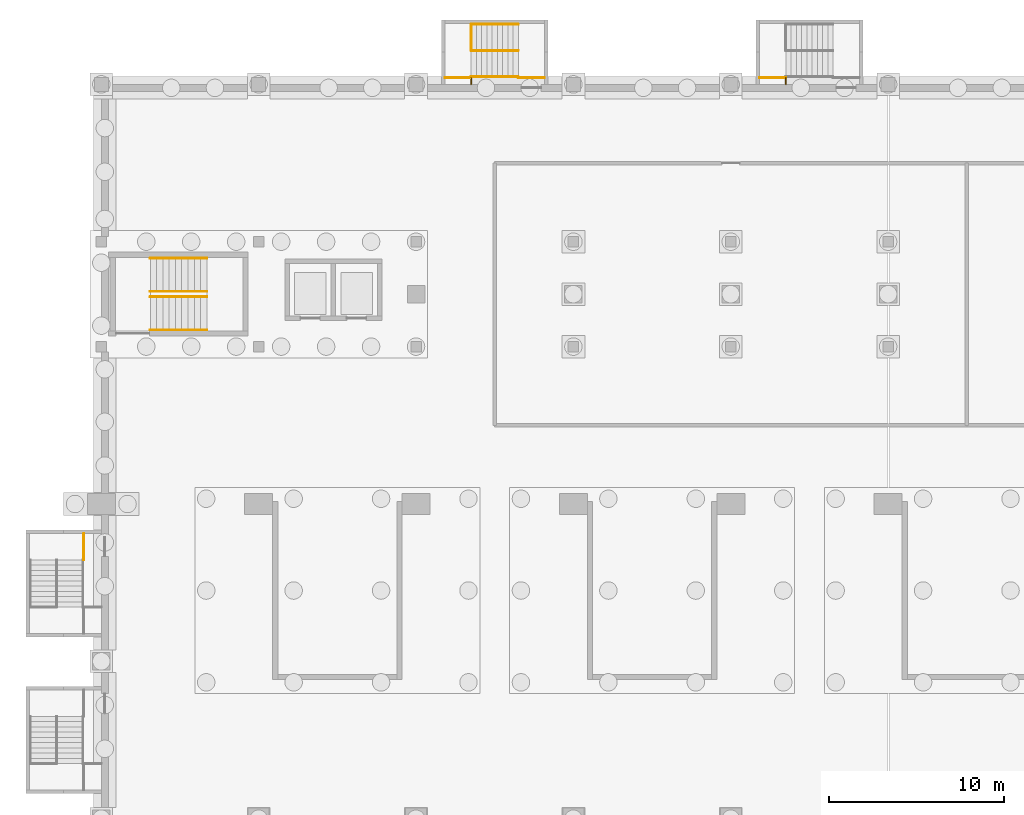
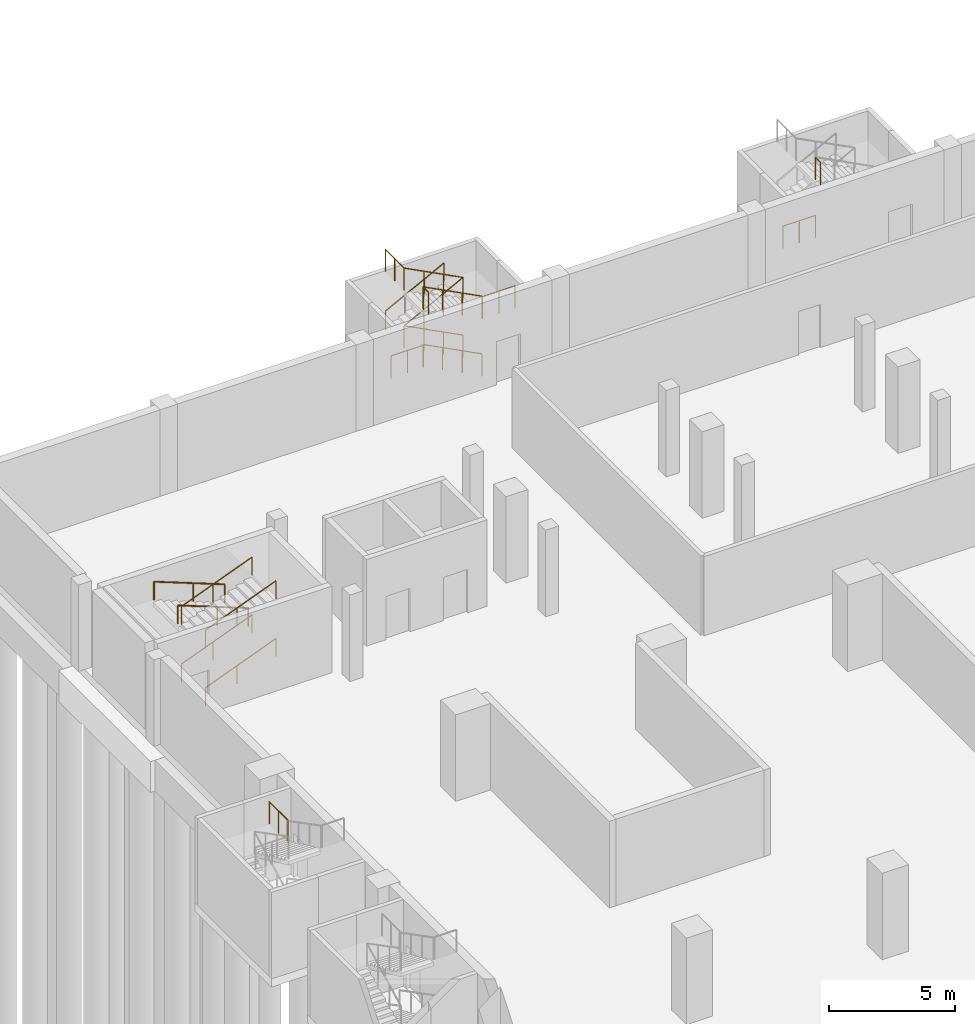
# One storey, part 24 of 29: 19 railings.
"""IFC4 building model written with IfcOpenShell, lengths in metres."""

import ifcopenshell
import ifcopenshell.guid

model = None  # the IFC model being written
_history = None  # IfcOwnerHistory: only IFC2X3 demands one
_inside = {}  # id of a spatial element -> (the spatial element, [elements in it])
_under = {}  # id of a project, library or spatial element -> (it, [spatial elements below it])
_declared = {}  # id of a project -> (the project, [libraries it declares])
_typed = {}  # id of a type object -> (the type object, [elements of that type])
_made_of = {}  # id of a material, layer set ... -> (it, [elements and type objects made of it])


def new_model(schema):
    """Start an empty IFC model of exactly this schema.

    Asked for "IFC4X3", IfcOpenShell would pick the latest addendum, in which some entities
    have other attributes; the version numbers below select the first issue.
    IFC2X3 requires an IfcOwnerHistory on every rooted entity: one is made here for all.
    """
    global model, _history
    if schema == "IFC4X3":
        model = ifcopenshell.file(schema_version=(4, 3, 0, 0))
    else:
        model = ifcopenshell.file(schema=schema)
    _inside.clear()
    _under.clear()
    _declared.clear()
    _typed.clear()
    _made_of.clear()
    _history = None
    if model.schema == "IFC2X3":
        org = make("IfcOrganization", Name="unknown")
        user = make(
            "IfcPersonAndOrganization",
            ThePerson=make("IfcPerson", FamilyName="unknown"),
            TheOrganization=org,
        )
        app = make(
            "IfcApplication",
            ApplicationDeveloper=org,
            Version="unknown",
            ApplicationFullName="unknown",
            ApplicationIdentifier="unknown",
        )
        _history = make(
            "IfcOwnerHistory",
            OwningUser=user,
            OwningApplication=app,
            ChangeAction="ADDED",
            CreationDate=0,
        )
    return model


def make(cls, **values):
    """One entity of the class cls with the attributes given. An attribute that is None is left unset."""
    return model.create_entity(
        cls, **{name: value for name, value in values.items() if value is not None}
    )


def rooted(cls, **values):
    """An entity with a GlobalId (a new one), such as an element, a storey or a relation."""
    return make(cls, GlobalId=ifcopenshell.guid.new(), OwnerHistory=_history, **values)


def si_unit(unit_type, name, prefix=None):
    """IfcSIUnit, for example si_unit("LENGTHUNIT", "METRE", prefix="MILLI")."""
    return make("IfcSIUnit", UnitType=unit_type, Prefix=prefix, Name=name)


def assignment(units):
    """IfcUnitAssignment: the units of a project."""
    return None if units is None else make("IfcUnitAssignment", Units=units)


def point(xyz):
    """IfcCartesianPoint."""
    return None if xyz is None else make("IfcCartesianPoint", Coordinates=xyz)


def direction(xyz):
    """IfcDirection."""
    return None if xyz is None else make("IfcDirection", DirectionRatios=xyz)


def frame(location, z_axis=None, x_axis=None):
    """IfcAxis2Placement3D, a coordinate frame: its origin and axes. An axis left out is left unset."""
    return make(
        "IfcAxis2Placement3D",
        Location=point(location),
        Axis=direction(z_axis),
        RefDirection=direction(x_axis),
    )


def frame_2d(location, x_axis=None):
    """IfcAxis2Placement2D, a coordinate frame in the plane: its origin and x axis."""
    return make(
        "IfcAxis2Placement2D", Location=point(location), RefDirection=direction(x_axis)
    )


def origin():
    """The frame at (0, 0, 0) with its axes left unset."""
    return frame((0.0, 0.0, 0.0))


def origin_2d():
    """The frame at (0, 0) in the plane with its x axis left unset."""
    return frame_2d((0.0, 0.0))


def place(relative_to, where):
    """IfcLocalPlacement: puts the frame where relative to a parent placement (None: the world)."""
    return make(
        "IfcLocalPlacement", PlacementRelTo=relative_to, RelativePlacement=where
    )


def context(
    kind, dimensions, precision=None, world=None, true_north=None, identifier=None
):
    """IfcGeometricRepresentationContext, for example the 3D "Model" context."""
    return make(
        "IfcGeometricRepresentationContext",
        ContextIdentifier=identifier,
        ContextType=kind,
        CoordinateSpaceDimension=dimensions,
        Precision=precision,
        WorldCoordinateSystem=world,
        TrueNorth=true_north,
    )


def subcontext(parent, identifier, kind, view, scale=None):
    """IfcGeometricRepresentationSubContext, for example "Body" below "Model"."""
    return make(
        "IfcGeometricRepresentationSubContext",
        ContextIdentifier=identifier,
        ContextType=kind,
        ParentContext=parent,
        TargetScale=scale,
        TargetView=view,
    )


def project(units=None, contexts=None):
    """IfcProject with its units and contexts."""
    return rooted(
        "IfcProject",
        Name="project",
        RepresentationContexts=contexts,
        UnitsInContext=assignment(units),
    )


def spatial(cls, under=None, at=None, **own):
    """A site, building, storey or space (cls), placed at a placement, below another one or the project."""
    s = rooted(cls, ObjectPlacement=at, **own)
    if under is not None:
        _under.setdefault(under.id(), (under, []))[1].append(s)
    return s


def profile(cls, at=None, kind="AREA", **sizes):
    """A parametric profile (cls). Its sizes go by their IFC names, for example OverallWidth=200.0."""
    return make(cls, ProfileType=kind, Position=at, **sizes)


def circle(**sizes):
    """IfcCircleProfileDef."""
    return profile("IfcCircleProfileDef", **sizes)


def extrude(swept, where, along, depth):
    """IfcExtrudedAreaSolid: the profile swept, set in the frame where, extruded along a direction by depth."""
    return make(
        "IfcExtrudedAreaSolid",
        SweptArea=swept,
        Position=where,
        ExtrudedDirection=direction(along),
        Depth=depth,
    )


def shape(context_of_items, identifier, shape_type, items):
    """IfcShapeRepresentation: the items that make up one representation, for example the "Body"."""
    return make(
        "IfcShapeRepresentation",
        ContextOfItems=context_of_items,
        RepresentationIdentifier=identifier,
        RepresentationType=shape_type,
        Items=items,
    )


def material(Name=None, Category=None):
    """IfcMaterial."""
    return make("IfcMaterial", Name=Name, Category=Category)


def made_of(thing, what):
    """Note that an element or type object is made of a material, layer set ...; save() writes the relation."""
    if what is not None:
        _made_of.setdefault(what.id(), (what, []))[1].append(thing)
    return thing


def type_object(cls, material=None, **own):
    """A type object (cls), such as IfcWallType, which elements share."""
    return made_of(rooted(cls, **own), material)


def element(
    cls,
    number,
    at=None,
    inside=None,
    cuts=None,
    type_object=None,
    material=None,
    context=None,
    identifier="Body",
    shape_type=None,
    held_by="IfcProductDefinitionShape",
    body=None,
    shapes=None,
    **own,
):
    """One element of the class cls, such as IfcWall. Its Tag is "e" and its number.

    at: its placement. inside: the storey or other place that contains it. cuts: it is an
    opening in that element (IfcRelVoidsElement). A single representation is given by context,
    identifier, shape_type and body (its items); several are given by shapes. held_by: the class
    of the entity that holds the representations. save() writes the other relations.
    """
    e = rooted(cls, Tag="e%d" % number, ObjectPlacement=at, **own)
    if body is not None:
        shapes = [shape(context, identifier, shape_type, body)]
    if shapes is not None:
        e.Representation = make(held_by, Representations=shapes)
    if inside is not None:
        _inside.setdefault(inside.id(), (inside, []))[1].append(e)
    if cuts is not None:
        rooted(
            "IfcRelVoidsElement", RelatingBuildingElement=cuts, RelatedOpeningElement=e
        )
    if type_object is not None:
        _typed.setdefault(type_object.id(), (type_object, []))[1].append(e)
    return made_of(e, material)


def aggregate(whole, parts):
    """IfcRelAggregates: a whole, such as a stair, and the parts it consists of."""
    return rooted("IfcRelAggregates", RelatingObject=whole, RelatedObjects=parts)


def save(model, path):
    """Write the relations noted so far, then the file.

    IfcRelAggregates (storeys below a building ...), IfcRelContainedInSpatialStructure (elements
    in a storey), IfcRelDefinesByType, IfcRelAssociatesMaterial and IfcRelDeclares: one each for
    every whole, place, type object, material and project.
    """
    for whole, parts in _under.values():
        aggregate(whole, parts)
    for where, things in _inside.values():
        rooted(
            "IfcRelContainedInSpatialStructure",
            RelatedElements=things,
            RelatingStructure=where,
        )
    for kind, things in _typed.values():
        rooted("IfcRelDefinesByType", RelatedObjects=things, RelatingType=kind)
    for what, things in _made_of.values():
        rooted("IfcRelAssociatesMaterial", RelatedObjects=things, RelatingMaterial=what)
    for by, libraries in _declared.values():
        rooted("IfcRelDeclares", RelatingContext=by, RelatedDefinitions=libraries)
    model.write(path)


model = new_model("IFC4")

# Units and contexts
model_context = context("Model", 3, precision=1e-05, world=origin(), true_north=direction((0.0, 1.0)))
body_context = subcontext(model_context, "Body", "Model", "MODEL_VIEW")
ifc_project = project(units=[si_unit("LENGTHUNIT", "METRE"), si_unit("AREAUNIT", "SQUARE_METRE"), si_unit("VOLUMEUNIT", "CUBIC_METRE"), si_unit("PLANEANGLEUNIT", "RADIAN"), si_unit("MASSUNIT", "GRAM", prefix="KILO")], contexts=[model_context])

# Site, building, storey
site_placement = place(None, origin())
site = spatial("IfcSite", under=ifc_project, at=site_placement, CompositionType="ELEMENT")
building_placement = place(site_placement, origin())
building = spatial("IfcBuilding", under=site, at=building_placement, Name="Aravalli Gate Trade Fair Centre", CompositionType="ELEMENT")
storey_placement = place(building_placement, frame((0.0, 0.0, -8.39990234375)))
storey = spatial("IfcBuildingStorey", under=building, at=storey_placement, Name="B2", CompositionType="ELEMENT", Elevation=-8.39990234375)

# Railings
ifc_material = material(Name="Steel E350", Category="steel")
railing_type_1 = type_object("IfcRailingType", Name="Basement stair guard 1100", PredefinedType="GUARDRAIL", material=ifc_material)
railing_1_placement = place(storey_placement, frame((5.0, 107.300048828125, 2.7998046875)))
element("IfcRailing", 1, at=railing_1_placement, inside=storey, type_object=railing_type_1, Name="Basement stair W2 landing edge guard 2 B2", PredefinedType="GUARDRAIL", context=body_context, shape_type="SweptSolid", body=[
    extrude(circle(Radius=0.02392578125, at=origin_2d()), frame((0.0, 0.0, 1.076171875), z_axis=(0.0, -1.0, 0.0), x_axis=(1.0, 0.0, 0.0)), (0.0, 0.0, 1.0), 1.5),
    extrude(circle(Radius=0.02099609375, at=origin_2d()), origin(), (0.0, 0.0, 1.0), 1.052001953125),
    extrude(circle(Radius=0.02099609375, at=origin_2d()), frame((0.0, -0.75, 0.0)), (0.0, 0.0, 1.0), 1.052001953125),
    extrude(circle(Radius=0.02099609375, at=origin_2d()), frame((0.0, -1.5, 0.0)), (0.0, 0.0, 1.0), 1.052001953125),
])
railing_2_placement = place(storey_placement, frame((29.85009765625, 134.929931640625, 0.0)))
element("IfcRailing", 2, at=railing_2_placement, inside=storey, type_object=railing_type_1, Name="Basement stair N1 guard A B2", PredefinedType="GUARDRAIL", context=body_context, shape_type="SweptSolid", body=[
    extrude(circle(Radius=0.02392578125, at=origin_2d()), frame((0.0, 0.0, 1.076171875), z_axis=(-0.887781257544, 0.0, 0.460265617609), x_axis=(0.0, -1.0, 0.0)), (0.0, 0.0, 1.0), 3.04150390625),
    extrude(circle(Radius=0.02099609375, at=origin_2d()), origin(), (0.0, 0.0, 1.0), 1.052001953125),
    extrude(circle(Radius=0.02099609375, at=origin_2d()), frame((-0.900146484375, 0.0, 0.466552734375)), (0.0, 0.0, 1.0), 1.052001953125),
    extrude(circle(Radius=0.02099609375, at=origin_2d()), frame((-1.800048828125, 0.0, 0.933349609375)), (0.0, 0.0, 1.0), 1.052001953125),
    extrude(circle(Radius=0.02099609375, at=origin_2d()), frame((-2.7001953125, 0.0, 1.39990234375)), (0.0, 0.0, 1.0), 1.052001953125),
])
railing_3_placement = place(storey_placement, frame((27.14990234375, 134.929931640625, 1.39990234375)))
element("IfcRailing", 3, at=railing_3_placement, inside=storey, type_object=railing_type_1, Name="Basement stair N1 guard B B2", PredefinedType="GUARDRAIL", context=body_context, shape_type="SweptSolid", body=[
    extrude(circle(Radius=0.02392578125, at=origin_2d()), frame((0.0, 0.0, 1.076171875), z_axis=(0.887781257544, 0.0, 0.460265617609), x_axis=(0.0, 1.0, 0.0)), (0.0, 0.0, 1.0), 3.04150390625),
    extrude(circle(Radius=0.02099609375, at=origin_2d()), origin(), (0.0, 0.0, 1.0), 1.052001953125),
    extrude(circle(Radius=0.02099609375, at=origin_2d()), frame((0.900146484375, 0.0, 0.466552734375)), (0.0, 0.0, 1.0), 1.052001953125),
    extrude(circle(Radius=0.02099609375, at=origin_2d()), frame((1.800048828125, 0.0, 0.933349609375)), (0.0, 0.0, 1.0), 1.052001953125),
    extrude(circle(Radius=0.02099609375, at=origin_2d()), frame((2.7001953125, 0.0, 1.39990234375)), (0.0, 0.0, 1.0), 1.052001953125),
])
railing_4_placement = place(storey_placement, frame((29.85009765625, 134.929931640625, 2.7998046875)))
element("IfcRailing", 4, at=railing_4_placement, inside=storey, type_object=railing_type_1, Name="Basement stair N1 guard C B2", PredefinedType="GUARDRAIL", context=body_context, shape_type="SweptSolid", body=[
    extrude(circle(Radius=0.02392578125, at=origin_2d()), frame((0.0, 0.0, 1.076171875), z_axis=(-0.887748457143, 0.0, 0.460328878998), x_axis=(0.0, -1.0, 0.0)), (0.0, 0.0, 1.0), 3.04150390625),
    extrude(circle(Radius=0.02099609375, at=origin_2d()), origin(), (0.0, 0.0, 1.0), 1.052001953125),
    extrude(circle(Radius=0.02099609375, at=origin_2d()), frame((-0.900146484375, 0.0, 0.466796875)), (0.0, 0.0, 1.0), 1.052001953125),
    extrude(circle(Radius=0.02099609375, at=origin_2d()), frame((-1.800048828125, 0.0, 0.933349609375)), (0.0, 0.0, 1.0), 1.052001953125),
    extrude(circle(Radius=0.02099609375, at=origin_2d()), frame((-2.7001953125, 0.0, 1.400146484375)), (0.0, 0.0, 1.0), 1.052001953125),
])
railing_5_placement = place(storey_placement, frame((29.85009765625, 133.429931640625, 0.0)))
element("IfcRailing", 5, at=railing_5_placement, inside=storey, type_object=railing_type_1, Name="Basement stair N1 guard A B2", PredefinedType="GUARDRAIL", context=body_context, shape_type="SweptSolid", body=[
    extrude(circle(Radius=0.02392578125, at=origin_2d()), frame((0.0, 0.0, 1.076171875), z_axis=(-0.887781257544, 0.0, 0.460265617609), x_axis=(0.0, -1.0, 0.0)), (0.0, 0.0, 1.0), 3.04150390625),
    extrude(circle(Radius=0.02099609375, at=origin_2d()), origin(), (0.0, 0.0, 1.0), 1.052001953125),
    extrude(circle(Radius=0.02099609375, at=origin_2d()), frame((-0.900146484375, 0.0, 0.466552734375)), (0.0, 0.0, 1.0), 1.052001953125),
    extrude(circle(Radius=0.02099609375, at=origin_2d()), frame((-1.800048828125, 0.0, 0.933349609375)), (0.0, 0.0, 1.0), 1.052001953125),
    extrude(circle(Radius=0.02099609375, at=origin_2d()), frame((-2.7001953125, 0.0, 1.39990234375)), (0.0, 0.0, 1.0), 1.052001953125),
])
railing_6_placement = place(storey_placement, frame((29.85009765625, 133.429931640625, 2.7998046875)))
element("IfcRailing", 6, at=railing_6_placement, inside=storey, type_object=railing_type_1, Name="Basement stair N1 guard C B2", PredefinedType="GUARDRAIL", context=body_context, shape_type="SweptSolid", body=[
    extrude(circle(Radius=0.02392578125, at=origin_2d()), frame((0.0, 0.0, 1.076171875), z_axis=(-0.887748457143, 0.0, 0.460328878998), x_axis=(0.0, -1.0, 0.0)), (0.0, 0.0, 1.0), 3.04150390625),
    extrude(circle(Radius=0.02099609375, at=origin_2d()), origin(), (0.0, 0.0, 1.0), 1.052001953125),
    extrude(circle(Radius=0.02099609375, at=origin_2d()), frame((-0.900146484375, 0.0, 0.466796875)), (0.0, 0.0, 1.0), 1.052001953125),
    extrude(circle(Radius=0.02099609375, at=origin_2d()), frame((-1.800048828125, 0.0, 0.933349609375)), (0.0, 0.0, 1.0), 1.052001953125),
    extrude(circle(Radius=0.02099609375, at=origin_2d()), frame((-2.7001953125, 0.0, 1.400146484375)), (0.0, 0.0, 1.0), 1.052001953125),
])
for number, where, name in (
    (7, (27.14990234375, 133.3798828125, 1.39990234375), "Basement stair N1 landing edge guard 1 B2"),
    (8, (31.35009765625, 133.3798828125, 2.7998046875), "Basement stair N1 landing edge guard 2 B2"),
):
    element("IfcRailing", number, at=place(storey_placement, frame(where)), inside=storey, type_object=railing_type_1, Name=name, PredefinedType="GUARDRAIL", context=body_context, shape_type="SweptSolid", body=[
        extrude(circle(Radius=0.02392578125, at=origin_2d()), frame((0.0, 0.0, 1.076171875), z_axis=(-1.0, 0.0, 0.0), x_axis=(0.0, -1.0, 0.0)), (0.0, 0.0, 1.0), 1.5),
        extrude(circle(Radius=0.02099609375, at=origin_2d()), origin(), (0.0, 0.0, 1.0), 1.052001953125),
        extrude(circle(Radius=0.02099609375, at=origin_2d()), frame((-0.75, 0.0, 0.0)), (0.0, 0.0, 1.0), 1.052001953125),
        extrude(circle(Radius=0.02099609375, at=origin_2d()), frame((-1.5, 0.0, 0.0)), (0.0, 0.0, 1.0), 1.052001953125),
    ])
railing_7_placement = place(storey_placement, frame((27.14990234375, 133.0, 4.199951171875)))
element("IfcRailing", 9, at=railing_7_placement, inside=storey, type_object=railing_type_1, Name="Basement stair N1 strip guard B2", PredefinedType="GUARDRAIL", context=body_context, shape_type="SweptSolid", body=[
    extrude(circle(Radius=0.02392578125, at=origin_2d()), frame((0.0, 0.0, 1.076171875), z_axis=(0.0, 1.0, 0.0), x_axis=(-1.0, 0.0, 0.0)), (0.0, 0.0, 1.0), 0.3798828125),
    extrude(circle(Radius=0.02099609375, at=origin_2d()), origin(), (0.0, 0.0, 1.0), 1.052001953125),
    extrude(circle(Radius=0.02099609375, at=origin_2d()), frame((0.0, 0.3798828125, 0.0)), (0.0, 0.0, 1.0), 1.052001953125),
])
railing_8_placement = place(storey_placement, frame((27.14990234375, 134.929931640625, 4.199951171875)))
element("IfcRailing", 10, at=railing_8_placement, inside=storey, type_object=railing_type_1, Name="Basement stair N1 well guard B2", PredefinedType="GUARDRAIL", context=body_context, shape_type="SweptSolid", body=[
    extrude(circle(Radius=0.02392578125, at=origin_2d()), frame((0.0, 0.0, 1.076171875), z_axis=(0.0, 1.0, 0.0), x_axis=(-1.0, 0.0, 0.0)), (0.0, 0.0, 1.0), 1.5),
    extrude(circle(Radius=0.02099609375, at=origin_2d()), origin(), (0.0, 0.0, 1.0), 1.052001953125),
    extrude(circle(Radius=0.02099609375, at=origin_2d()), frame((0.0, 0.75, 0.0)), (0.0, 0.0, 1.0), 1.052001953125),
    extrude(circle(Radius=0.02099609375, at=origin_2d()), frame((0.0, 1.5, 0.0)), (0.0, 0.0, 1.0), 1.052001953125),
])
railing_9_placement = place(storey_placement, frame((45.14990234375, 133.3798828125, 1.39990234375)))
element("IfcRailing", 11, at=railing_9_placement, inside=storey, type_object=railing_type_1, Name="Basement stair N2 landing edge guard 1 B2", PredefinedType="GUARDRAIL", context=body_context, shape_type="SweptSolid", body=[
    extrude(circle(Radius=0.02392578125, at=origin_2d()), frame((0.0, 0.0, 1.076171875), z_axis=(-1.0, 0.0, 0.0), x_axis=(0.0, -1.0, 0.0)), (0.0, 0.0, 1.0), 1.5),
    extrude(circle(Radius=0.02099609375, at=origin_2d()), origin(), (0.0, 0.0, 1.0), 1.052001953125),
    extrude(circle(Radius=0.02099609375, at=origin_2d()), frame((-0.75, 0.0, 0.0)), (0.0, 0.0, 1.0), 1.052001953125),
    extrude(circle(Radius=0.02099609375, at=origin_2d()), frame((-1.5, 0.0, 0.0)), (0.0, 0.0, 1.0), 1.052001953125),
])
railing_10_placement = place(storey_placement, frame((45.14990234375, 133.0, 4.199951171875)))
element("IfcRailing", 12, at=railing_10_placement, inside=storey, type_object=railing_type_1, Name="Basement stair N2 strip guard B2", PredefinedType="GUARDRAIL", context=body_context, shape_type="SweptSolid", body=[
    extrude(circle(Radius=0.02392578125, at=origin_2d()), frame((0.0, 0.0, 1.076171875), z_axis=(0.0, 1.0, 0.0), x_axis=(-1.0, 0.0, 0.0)), (0.0, 0.0, 1.0), 0.3798828125),
    extrude(circle(Radius=0.02099609375, at=origin_2d()), origin(), (0.0, 0.0, 1.0), 1.052001953125),
    extrude(circle(Radius=0.02099609375, at=origin_2d()), frame((0.0, 0.3798828125, 0.0)), (0.0, 0.0, 1.0), 1.052001953125),
])
railing_type_2 = type_object("IfcRailingType", Name="Basement stair handrail 900", PredefinedType="HANDRAIL", material=ifc_material)
railing_11_placement = place(storey_placement, frame((27.14990234375, 136.429931640625, 1.39990234375)))
element("IfcRailing", 13, at=railing_11_placement, inside=storey, type_object=railing_type_2, Name="Basement stair N1 handrail B B2", PredefinedType="HANDRAIL", context=body_context, shape_type="SweptSolid", body=[
    extrude(circle(Radius=0.02392578125, at=origin_2d()), frame((0.0, 0.0, 0.8759765625), z_axis=(0.887781257544, 0.0, 0.460265617609), x_axis=(0.0, 1.0, 0.0)), (0.0, 0.0, 1.0), 3.04150390625),
    extrude(circle(Radius=0.02099609375, at=origin_2d()), origin(), (0.0, 0.0, 1.0), 0.851806640625),
    extrude(circle(Radius=0.02099609375, at=origin_2d()), frame((0.900146484375, 0.0, 0.466552734375)), (0.0, 0.0, 1.0), 0.851806640625),
    extrude(circle(Radius=0.02099609375, at=origin_2d()), frame((1.800048828125, 0.0, 0.933349609375)), (0.0, 0.0, 1.0), 0.851806640625),
    extrude(circle(Radius=0.02099609375, at=origin_2d()), frame((2.7001953125, 0.0, 1.39990234375)), (0.0, 0.0, 1.0), 0.851806640625),
])
railing_type_3 = type_object("IfcRailingType", Name="Concourse stair handrail 900", PredefinedType="HANDRAIL", material=ifc_material)
for number, where, name in (
    (14, (8.800048828125, 118.949951171875, 0.139892578125), "Handrail WS B2 flight 1o"),
    (15, (8.800048828125, 120.85009765625, 0.139892578125), "Handrail WS B2 flight 1i"),
):
    element("IfcRailing", number, at=place(storey_placement, frame(where)), inside=storey, type_object=railing_type_3, Name=name, PredefinedType="HANDRAIL", context=body_context, shape_type="SweptSolid", body=[
        extrude(circle(Radius=0.02392578125, at=origin_2d()), frame((0.0, 0.0, 0.8759765625), z_axis=(0.931986877569, 0.0, 0.362492013758), x_axis=(0.0, 1.0, 0.0)), (0.0, 0.0, 1.0), 1.544921875),
        extrude(circle(Radius=0.02392578125, at=origin_2d()), frame((1.43994140625, 0.0, 1.43603515625), z_axis=(0.932016532514, 0.0, 0.362415760032), x_axis=(0.0, 1.0, 0.0)), (0.0, 0.0, 1.0), 1.931396484375),
        extrude(circle(Radius=0.02099609375, at=origin_2d()), origin(), (0.0, 0.0, 1.0), 0.851806640625),
        extrude(circle(Radius=0.02099609375, at=origin_2d()), frame((1.43994140625, 0.0, 0.56005859375)), (0.0, 0.0, 1.0), 0.851806640625),
        extrude(circle(Radius=0.02099609375, at=origin_2d()), frame((3.239990234375, 0.0, 1.260009765625)), (0.0, 0.0, 1.0), 0.851806640625),
    ])
for number, where, name in (
    (16, (12.0400390625, 123.050048828125, 1.539794921875), "Handrail WS B2 flight 2o"),
    (17, (12.0400390625, 121.14990234375, 1.539794921875), "Handrail WS B2 flight 2i"),
):
    element("IfcRailing", number, at=place(storey_placement, frame(where)), inside=storey, type_object=railing_type_3, Name=name, PredefinedType="HANDRAIL", context=body_context, shape_type="SweptSolid", body=[
        extrude(circle(Radius=0.02392578125, at=origin_2d()), frame((0.0, 0.0, 0.8759765625), z_axis=(-0.931986877569, 0.0, 0.362492013758), x_axis=(0.0, -1.0, 0.0)), (0.0, 0.0, 1.0), 1.544921875),
        extrude(circle(Radius=0.02392578125, at=origin_2d()), frame((-1.43994140625, 0.0, 1.43603515625), z_axis=(-0.932016532514, 0.0, 0.362415760032), x_axis=(0.0, -1.0, 0.0)), (0.0, 0.0, 1.0), 1.931396484375),
        extrude(circle(Radius=0.02099609375, at=origin_2d()), origin(), (0.0, 0.0, 1.0), 0.851806640625),
        extrude(circle(Radius=0.02099609375, at=origin_2d()), frame((-1.43994140625, 0.0, 0.56005859375)), (0.0, 0.0, 1.0), 0.851806640625),
        extrude(circle(Radius=0.02099609375, at=origin_2d()), frame((-3.239990234375, 0.0, 1.260009765625)), (0.0, 0.0, 1.0), 0.851806640625),
    ])
for number, where, name in (
    (18, (8.800048828125, 118.949951171875, 2.93994140625), "Handrail WS B2 flight 3o"),
    (19, (8.800048828125, 120.85009765625, 2.93994140625), "Handrail WS B2 flight 3i"),
):
    element("IfcRailing", number, at=place(storey_placement, frame(where)), inside=storey, type_object=railing_type_3, Name=name, PredefinedType="HANDRAIL", context=body_context, shape_type="SweptSolid", body=[
        extrude(circle(Radius=0.02392578125, at=origin_2d()), frame((0.0, 0.0, 0.8759765625), z_axis=(0.931986877569, 0.0, 0.362492013758), x_axis=(0.0, 1.0, 0.0)), (0.0, 0.0, 1.0), 1.544921875),
        extrude(circle(Radius=0.02392578125, at=origin_2d()), frame((1.43994140625, 0.0, 1.43603515625), z_axis=(0.932016532514, 0.0, 0.362415760032), x_axis=(0.0, 1.0, 0.0)), (0.0, 0.0, 1.0), 1.931396484375),
        extrude(circle(Radius=0.02099609375, at=origin_2d()), origin(), (0.0, 0.0, 1.0), 0.851806640625),
        extrude(circle(Radius=0.02099609375, at=origin_2d()), frame((1.43994140625, 0.0, 0.56005859375)), (0.0, 0.0, 1.0), 0.851806640625),
        extrude(circle(Radius=0.02099609375, at=origin_2d()), frame((3.239990234375, 0.0, 1.260009765625)), (0.0, 0.0, 1.0), 0.851806640625),
    ])

save(model, "model.ifc")
